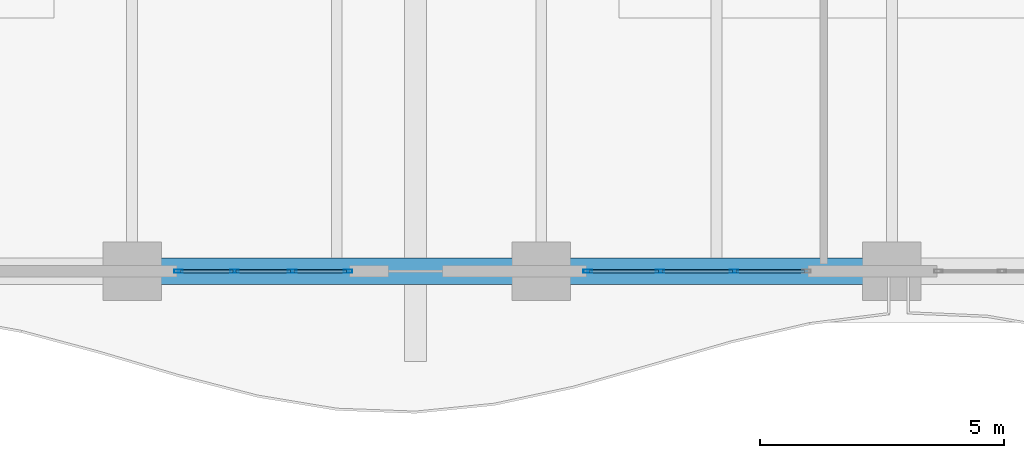
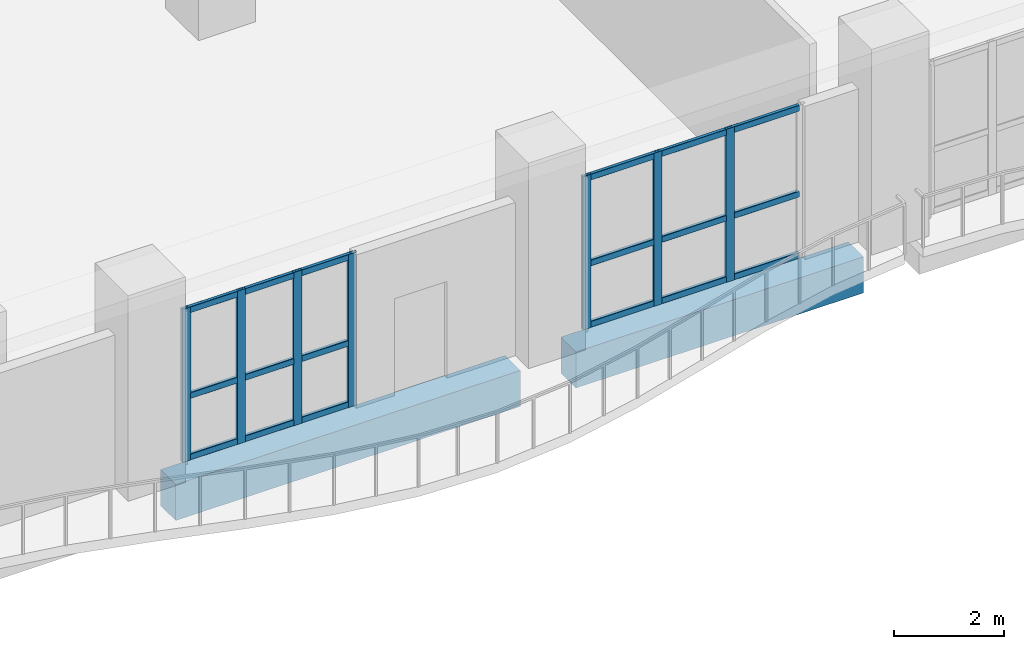
# One storey, part 12 of 37: 25 members, 2 beams, 2 elements without a shape of their own.
"""IFC4 building model written with IfcOpenShell, lengths in metres."""

from ifc_helpers import new_model, si_unit, direction, frame, origin, origin_2d, place, context, subcontext, project, spatial, rectangle, hollow_rectangle, extrude, material, layer, layer_set, material_profile, profile_set, type_object, element, aggregate, save


model = new_model("IFC4")

# Units and contexts
model_context = context("Model", 3, precision=1e-05, world=origin(), true_north=direction((0.0, 1.0)))
body_context = subcontext(model_context, "Body", "Model", "MODEL_VIEW")
ifc_project = project(units=[si_unit("LENGTHUNIT", "METRE"), si_unit("AREAUNIT", "SQUARE_METRE"), si_unit("VOLUMEUNIT", "CUBIC_METRE"), si_unit("PLANEANGLEUNIT", "RADIAN"), si_unit("MASSUNIT", "GRAM", prefix="KILO")], contexts=[model_context])

# Site, building, storey
site_placement = place(None, origin())
site = spatial("IfcSite", under=ifc_project, at=site_placement, CompositionType="ELEMENT")
building_placement = place(site_placement, origin())
building = spatial("IfcBuilding", under=site, at=building_placement, Name="Kaelvorn Grand Hotel", CompositionType="ELEMENT")
storey_placement = place(building_placement, frame((0.0, 0.0, 224.35009765625)))
storey = spatial("IfcBuildingStorey", under=building, at=storey_placement, Name="L55", CompositionType="ELEMENT", Elevation=224.35009765625)

# Beams
ifc_material_1 = material(Name="Concrete C50/60", Category="concrete")
ifc_material_profile_1 = material_profile(ifc_material_1, rectangle(XDim=0.550048828125, YDim=0.800048828125, at=origin_2d()), Name="RC SPANDREL 550x800")
ifc_profile_set_1 = profile_set([ifc_material_profile_1], Name="Concrete C50/60")
beam_type = type_object("IfcBeamType", Name="BM-SP-550x800-C50", PredefinedType="SPANDREL", material=ifc_profile_set_1)
beam_1_placement = place(storey_placement, frame((38.385009765625, 3.0, -0.64013671875), z_axis=(1.0, 0.0, 0.0), x_axis=(0.0, 1.0, 0.0)))
element("IfcBeam", 1, at=beam_1_placement, inside=storey, type_object=beam_type, Name="L55 South Perimeter Spandrel 06", PredefinedType="SPANDREL", context=body_context, shape_type="SweptSolid", body=[
    extrude(rectangle(XDim=0.550048828125, YDim=0.800048828125, at=origin_2d()), origin(), (0.0, 0.0, 1.0), 7.22998046875),
])
beam_2_placement = place(storey_placement, frame((46.784912109375, 3.0, -0.64013671875), z_axis=(1.0, 0.0, 0.0), x_axis=(0.0, 1.0, 0.0)))
element("IfcBeam", 2, at=beam_2_placement, inside=storey, type_object=beam_type, Name="L55 South Perimeter Spandrel 07", PredefinedType="SPANDREL", context=body_context, shape_type="SweptSolid", body=[
    extrude(rectangle(XDim=0.550048828125, YDim=0.800048828125, at=origin_2d()), origin(), (0.0, 0.0, 1.0), 6.030029296875),
])

# Curtain wall, members
ifc_material_2 = material(Name="Anodised Aluminium", Category="aluminium")
ifc_layer = layer(ifc_material_2, 0.179931640625)
ifc_layer_set = layer_set([ifc_layer], Name="Anodised Aluminium")
curtain_wall_type = type_object("IfcCurtainWallType", Name="CW-SYS4", PredefinedType="NOTDEFINED", material=ifc_layer_set)
curtain_wall_1_placement = place(storey_placement, origin())
curtain_wall_1 = element("IfcCurtainWall", 3, at=curtain_wall_1_placement, inside=storey, type_object=curtain_wall_type, Name="L55 Unitised Curtain Wall CW4 (CW-L55-SB2-04)", PredefinedType="NOTDEFINED")
ifc_material_profile_2 = material_profile(ifc_material_2, hollow_rectangle(XDim=0.070068359375, YDim=0.179931640625, WallThickness=0.00390625, InnerFilletRadius=0.00390625, OuterFilletRadius=0.008056640625, at=origin_2d()), Name="ALU MULL 70x180")
ifc_profile_set_2 = profile_set([ifc_material_profile_2], Name="Anodised Aluminium")
member_type_1 = type_object("IfcMemberType", Name="CW-SYS4-MULL", PredefinedType="MULLION", material=ifc_profile_set_2)
member_1_placement = place(storey_placement, frame((38.7548828125, 3.0, 0.0), z_axis=(0.0, 0.0, 1.0), x_axis=(0.0, 1.0, 0.0)))
member_1 = element("IfcMember", 4, at=member_1_placement, type_object=member_type_1, Name="CW4 mullion 1", PredefinedType="MULLION", context=body_context, shape_type="SweptSolid", body=[
    extrude(hollow_rectangle(XDim=0.070068359375, YDim=0.179931640625, WallThickness=0.00390625, InnerFilletRadius=0.00390625, OuterFilletRadius=0.008056640625, at=origin_2d()), origin(), (0.0, 0.0, 1.0), 3.39990234375),
])
member_2_placement = place(storey_placement, frame((39.903076171875, 3.0, 0.0), z_axis=(0.0, 0.0, 1.0), x_axis=(0.0, 1.0, 0.0)))
member_2 = element("IfcMember", 5, at=member_2_placement, type_object=member_type_1, Name="CW4 mullion 2", PredefinedType="MULLION", context=body_context, shape_type="SweptSolid", body=[
    extrude(hollow_rectangle(XDim=0.070068359375, YDim=0.179931640625, WallThickness=0.00390625, InnerFilletRadius=0.00390625, OuterFilletRadius=0.008056640625, at=origin_2d()), origin(), (0.0, 0.0, 1.0), 3.39990234375),
])
member_3_placement = place(storey_placement, frame((41.0859375, 3.0, 0.0), z_axis=(0.0, 0.0, 1.0), x_axis=(0.0, 1.0, 0.0)))
member_3 = element("IfcMember", 6, at=member_3_placement, type_object=member_type_1, Name="CW4 mullion 3", PredefinedType="MULLION", context=body_context, shape_type="SweptSolid", body=[
    extrude(hollow_rectangle(XDim=0.070068359375, YDim=0.179931640625, WallThickness=0.00390625, InnerFilletRadius=0.00390625, OuterFilletRadius=0.008056640625, at=origin_2d()), origin(), (0.0, 0.0, 1.0), 3.39990234375),
])
member_4_placement = place(storey_placement, frame((42.23388671875, 3.0, 0.0), z_axis=(0.0, 0.0, 1.0), x_axis=(0.0, 1.0, 0.0)))
member_4 = element("IfcMember", 7, at=member_4_placement, type_object=member_type_1, Name="CW4 mullion 4", PredefinedType="MULLION", context=body_context, shape_type="SweptSolid", body=[
    extrude(hollow_rectangle(XDim=0.070068359375, YDim=0.179931640625, WallThickness=0.00390625, InnerFilletRadius=0.00390625, OuterFilletRadius=0.008056640625, at=origin_2d()), origin(), (0.0, 0.0, 1.0), 3.39990234375),
])

curtain_wall_2_placement = place(storey_placement, origin())
curtain_wall_2 = element("IfcCurtainWall", 8, at=curtain_wall_2_placement, inside=storey, type_object=curtain_wall_type, Name="L55 Unitised Curtain Wall CW4 (CW-L55-SB3-01)", PredefinedType="NOTDEFINED")
member_5_placement = place(storey_placement, frame((47.155029296875, 3.0, 0.0), z_axis=(0.0, 0.0, 1.0), x_axis=(0.0, 1.0, 0.0)))
member_5 = element("IfcMember", 9, at=member_5_placement, type_object=member_type_1, Name="CW4 mullion 1", PredefinedType="MULLION", context=body_context, shape_type="SweptSolid", body=[
    extrude(hollow_rectangle(XDim=0.070068359375, YDim=0.179931640625, WallThickness=0.00390625, InnerFilletRadius=0.00390625, OuterFilletRadius=0.008056640625, at=origin_2d()), origin(), (0.0, 0.0, 1.0), 3.39990234375),
])
member_6_placement = place(storey_placement, frame((48.639892578125, 3.0, 0.0), z_axis=(0.0, 0.0, 1.0), x_axis=(0.0, 1.0, 0.0)))
member_6 = element("IfcMember", 10, at=member_6_placement, type_object=member_type_1, Name="CW4 mullion 2", PredefinedType="MULLION", context=body_context, shape_type="SweptSolid", body=[
    extrude(hollow_rectangle(XDim=0.070068359375, YDim=0.179931640625, WallThickness=0.00390625, InnerFilletRadius=0.00390625, OuterFilletRadius=0.008056640625, at=origin_2d()), origin(), (0.0, 0.0, 1.0), 3.39990234375),
])
member_7_placement = place(storey_placement, frame((50.159912109375, 3.0, 0.0), z_axis=(0.0, 0.0, 1.0), x_axis=(0.0, 1.0, 0.0)))
member_7 = element("IfcMember", 11, at=member_7_placement, type_object=member_type_1, Name="CW4 mullion 3", PredefinedType="MULLION", context=body_context, shape_type="SweptSolid", body=[
    extrude(hollow_rectangle(XDim=0.070068359375, YDim=0.179931640625, WallThickness=0.00390625, InnerFilletRadius=0.00390625, OuterFilletRadius=0.008056640625, at=origin_2d()), origin(), (0.0, 0.0, 1.0), 3.39990234375),
])

# Member
ifc_material_profile_3 = material_profile(ifc_material_2, hollow_rectangle(XDim=0.070068359375, YDim=0.135009765625, WallThickness=0.00341796875, InnerFilletRadius=0.00341796875, OuterFilletRadius=0.007080078125, at=origin_2d()), Name="ALU TRAN 70x135")
ifc_profile_set_3 = profile_set([ifc_material_profile_3], Name="Anodised Aluminium")
member_type_2 = type_object("IfcMemberType", Name="CW-SYS4-TRAN", PredefinedType="NOTDEFINED", material=ifc_profile_set_3)
member_8_placement = place(storey_placement, frame((38.7900390625, 3.0, 0.0673828125), z_axis=(1.0, 0.0, 0.0), x_axis=(0.0, 1.0, 0.0)))
member_8 = element("IfcMember", 12, at=member_8_placement, type_object=member_type_2, Name="CW4 transom 1.1", ObjectType="TRANSOM", PredefinedType="USERDEFINED", context=body_context, shape_type="SweptSolid", body=[
    extrude(hollow_rectangle(XDim=0.070068359375, YDim=0.135009765625, WallThickness=0.00341796875, InnerFilletRadius=0.00341796875, OuterFilletRadius=0.007080078125, at=origin_2d()), origin(), (0.0, 0.0, 1.0), 1.077880859375),
])

member_9_placement = place(storey_placement, frame((38.7900390625, 3.0, 1.427978515625), z_axis=(1.0, 0.0, 0.0), x_axis=(0.0, 1.0, 0.0)))
member_9 = element("IfcMember", 13, at=member_9_placement, type_object=member_type_2, Name="CW4 transom 1.2", ObjectType="TRANSOM", PredefinedType="USERDEFINED", context=body_context, shape_type="SweptSolid", body=[
    extrude(hollow_rectangle(XDim=0.070068359375, YDim=0.135009765625, WallThickness=0.00341796875, InnerFilletRadius=0.00341796875, OuterFilletRadius=0.007080078125, at=origin_2d()), origin(), (0.0, 0.0, 1.0), 1.077880859375),
])

member_10_placement = place(storey_placement, frame((38.7900390625, 3.0, 3.33251953125), z_axis=(1.0, 0.0, 0.0), x_axis=(0.0, 1.0, 0.0)))
member_10 = element("IfcMember", 14, at=member_10_placement, type_object=member_type_2, Name="CW4 transom 1.3", ObjectType="TRANSOM", PredefinedType="USERDEFINED", context=body_context, shape_type="SweptSolid", body=[
    extrude(hollow_rectangle(XDim=0.070068359375, YDim=0.135009765625, WallThickness=0.00341796875, InnerFilletRadius=0.00341796875, OuterFilletRadius=0.007080078125, at=origin_2d()), origin(), (0.0, 0.0, 1.0), 1.077880859375),
])

member_11_placement = place(storey_placement, frame((39.93798828125, 3.0, 0.0673828125), z_axis=(1.0, 0.0, 0.0), x_axis=(0.0, 1.0, 0.0)))
member_11 = element("IfcMember", 15, at=member_11_placement, type_object=member_type_2, Name="CW4 transom 2.1", ObjectType="TRANSOM", PredefinedType="USERDEFINED", context=body_context, shape_type="SweptSolid", body=[
    extrude(hollow_rectangle(XDim=0.070068359375, YDim=0.135009765625, WallThickness=0.00341796875, InnerFilletRadius=0.00341796875, OuterFilletRadius=0.007080078125, at=origin_2d()), origin(), (0.0, 0.0, 1.0), 1.113037109375),
])

member_12_placement = place(storey_placement, frame((39.93798828125, 3.0, 1.427978515625), z_axis=(1.0, 0.0, 0.0), x_axis=(0.0, 1.0, 0.0)))
member_12 = element("IfcMember", 16, at=member_12_placement, type_object=member_type_2, Name="CW4 transom 2.2", ObjectType="TRANSOM", PredefinedType="USERDEFINED", context=body_context, shape_type="SweptSolid", body=[
    extrude(hollow_rectangle(XDim=0.070068359375, YDim=0.135009765625, WallThickness=0.00341796875, InnerFilletRadius=0.00341796875, OuterFilletRadius=0.007080078125, at=origin_2d()), origin(), (0.0, 0.0, 1.0), 1.113037109375),
])

member_13_placement = place(storey_placement, frame((39.93798828125, 3.0, 3.33251953125), z_axis=(1.0, 0.0, 0.0), x_axis=(0.0, 1.0, 0.0)))
member_13 = element("IfcMember", 17, at=member_13_placement, type_object=member_type_2, Name="CW4 transom 2.3", ObjectType="TRANSOM", PredefinedType="USERDEFINED", context=body_context, shape_type="SweptSolid", body=[
    extrude(hollow_rectangle(XDim=0.070068359375, YDim=0.135009765625, WallThickness=0.00341796875, InnerFilletRadius=0.00341796875, OuterFilletRadius=0.007080078125, at=origin_2d()), origin(), (0.0, 0.0, 1.0), 1.113037109375),
])

member_14_placement = place(storey_placement, frame((41.12109375, 3.0, 0.0673828125), z_axis=(1.0, 0.0, 0.0), x_axis=(0.0, 1.0, 0.0)))
member_14 = element("IfcMember", 18, at=member_14_placement, type_object=member_type_2, Name="CW4 transom 3.1", ObjectType="TRANSOM", PredefinedType="USERDEFINED", context=body_context, shape_type="SweptSolid", body=[
    extrude(hollow_rectangle(XDim=0.070068359375, YDim=0.135009765625, WallThickness=0.00341796875, InnerFilletRadius=0.00341796875, OuterFilletRadius=0.007080078125, at=origin_2d()), origin(), (0.0, 0.0, 1.0), 1.077880859375),
])

member_15_placement = place(storey_placement, frame((41.12109375, 3.0, 1.427978515625), z_axis=(1.0, 0.0, 0.0), x_axis=(0.0, 1.0, 0.0)))
member_15 = element("IfcMember", 19, at=member_15_placement, type_object=member_type_2, Name="CW4 transom 3.2", ObjectType="TRANSOM", PredefinedType="USERDEFINED", context=body_context, shape_type="SweptSolid", body=[
    extrude(hollow_rectangle(XDim=0.070068359375, YDim=0.135009765625, WallThickness=0.00341796875, InnerFilletRadius=0.00341796875, OuterFilletRadius=0.007080078125, at=origin_2d()), origin(), (0.0, 0.0, 1.0), 1.077880859375),
])

member_16_placement = place(storey_placement, frame((41.12109375, 3.0, 3.33251953125), z_axis=(1.0, 0.0, 0.0), x_axis=(0.0, 1.0, 0.0)))
member_16 = element("IfcMember", 20, at=member_16_placement, type_object=member_type_2, Name="CW4 transom 3.3", ObjectType="TRANSOM", PredefinedType="USERDEFINED", context=body_context, shape_type="SweptSolid", body=[
    extrude(hollow_rectangle(XDim=0.070068359375, YDim=0.135009765625, WallThickness=0.00341796875, InnerFilletRadius=0.00341796875, OuterFilletRadius=0.007080078125, at=origin_2d()), origin(), (0.0, 0.0, 1.0), 1.077880859375),
])

aggregate(curtain_wall_1, [member_1, member_2, member_3, member_4, member_8, member_9, member_10, member_11, member_12, member_13, member_14, member_15, member_16])

member_17_placement = place(storey_placement, frame((47.18994140625, 3.0, 0.0673828125), z_axis=(1.0, 0.0, 0.0), x_axis=(0.0, 1.0, 0.0)))
member_17 = element("IfcMember", 21, at=member_17_placement, type_object=member_type_2, Name="CW4 transom 1.1", ObjectType="TRANSOM", PredefinedType="USERDEFINED", context=body_context, shape_type="SweptSolid", body=[
    extrude(hollow_rectangle(XDim=0.070068359375, YDim=0.135009765625, WallThickness=0.00341796875, InnerFilletRadius=0.00341796875, OuterFilletRadius=0.007080078125, at=origin_2d()), origin(), (0.0, 0.0, 1.0), 1.4150390625),
])

member_18_placement = place(storey_placement, frame((47.18994140625, 3.0, 1.427978515625), z_axis=(1.0, 0.0, 0.0), x_axis=(0.0, 1.0, 0.0)))
member_18 = element("IfcMember", 22, at=member_18_placement, type_object=member_type_2, Name="CW4 transom 1.2", ObjectType="TRANSOM", PredefinedType="USERDEFINED", context=body_context, shape_type="SweptSolid", body=[
    extrude(hollow_rectangle(XDim=0.070068359375, YDim=0.135009765625, WallThickness=0.00341796875, InnerFilletRadius=0.00341796875, OuterFilletRadius=0.007080078125, at=origin_2d()), origin(), (0.0, 0.0, 1.0), 1.4150390625),
])

member_19_placement = place(storey_placement, frame((47.18994140625, 3.0, 3.33251953125), z_axis=(1.0, 0.0, 0.0), x_axis=(0.0, 1.0, 0.0)))
member_19 = element("IfcMember", 23, at=member_19_placement, type_object=member_type_2, Name="CW4 transom 1.3", ObjectType="TRANSOM", PredefinedType="USERDEFINED", context=body_context, shape_type="SweptSolid", body=[
    extrude(hollow_rectangle(XDim=0.070068359375, YDim=0.135009765625, WallThickness=0.00341796875, InnerFilletRadius=0.00341796875, OuterFilletRadius=0.007080078125, at=origin_2d()), origin(), (0.0, 0.0, 1.0), 1.4150390625),
])

member_20_placement = place(storey_placement, frame((48.675048828125, 3.0, 0.0673828125), z_axis=(1.0, 0.0, 0.0), x_axis=(0.0, 1.0, 0.0)))
member_20 = element("IfcMember", 24, at=member_20_placement, type_object=member_type_2, Name="CW4 transom 2.1", ObjectType="TRANSOM", PredefinedType="USERDEFINED", context=body_context, shape_type="SweptSolid", body=[
    extrude(hollow_rectangle(XDim=0.070068359375, YDim=0.135009765625, WallThickness=0.00341796875, InnerFilletRadius=0.00341796875, OuterFilletRadius=0.007080078125, at=origin_2d()), origin(), (0.0, 0.0, 1.0), 1.449951171875),
])

member_21_placement = place(storey_placement, frame((48.675048828125, 3.0, 1.427978515625), z_axis=(1.0, 0.0, 0.0), x_axis=(0.0, 1.0, 0.0)))
member_21 = element("IfcMember", 25, at=member_21_placement, type_object=member_type_2, Name="CW4 transom 2.2", ObjectType="TRANSOM", PredefinedType="USERDEFINED", context=body_context, shape_type="SweptSolid", body=[
    extrude(hollow_rectangle(XDim=0.070068359375, YDim=0.135009765625, WallThickness=0.00341796875, InnerFilletRadius=0.00341796875, OuterFilletRadius=0.007080078125, at=origin_2d()), origin(), (0.0, 0.0, 1.0), 1.449951171875),
])

member_22_placement = place(storey_placement, frame((48.675048828125, 3.0, 3.33251953125), z_axis=(1.0, 0.0, 0.0), x_axis=(0.0, 1.0, 0.0)))
member_22 = element("IfcMember", 26, at=member_22_placement, type_object=member_type_2, Name="CW4 transom 2.3", ObjectType="TRANSOM", PredefinedType="USERDEFINED", context=body_context, shape_type="SweptSolid", body=[
    extrude(hollow_rectangle(XDim=0.070068359375, YDim=0.135009765625, WallThickness=0.00341796875, InnerFilletRadius=0.00341796875, OuterFilletRadius=0.007080078125, at=origin_2d()), origin(), (0.0, 0.0, 1.0), 1.449951171875),
])

member_23_placement = place(storey_placement, frame((50.195068359375, 3.0, 0.0673828125), z_axis=(1.0, 0.0, 0.0), x_axis=(0.0, 1.0, 0.0)))
member_23 = element("IfcMember", 27, at=member_23_placement, type_object=member_type_2, Name="CW4 transom 3.1", ObjectType="TRANSOM", PredefinedType="USERDEFINED", context=body_context, shape_type="SweptSolid", body=[
    extrude(hollow_rectangle(XDim=0.070068359375, YDim=0.135009765625, WallThickness=0.00341796875, InnerFilletRadius=0.00341796875, OuterFilletRadius=0.007080078125, at=origin_2d()), origin(), (0.0, 0.0, 1.0), 1.4150390625),
])

member_24_placement = place(storey_placement, frame((50.195068359375, 3.0, 1.427978515625), z_axis=(1.0, 0.0, 0.0), x_axis=(0.0, 1.0, 0.0)))
member_24 = element("IfcMember", 28, at=member_24_placement, type_object=member_type_2, Name="CW4 transom 3.2", ObjectType="TRANSOM", PredefinedType="USERDEFINED", context=body_context, shape_type="SweptSolid", body=[
    extrude(hollow_rectangle(XDim=0.070068359375, YDim=0.135009765625, WallThickness=0.00341796875, InnerFilletRadius=0.00341796875, OuterFilletRadius=0.007080078125, at=origin_2d()), origin(), (0.0, 0.0, 1.0), 1.4150390625),
])

member_25_placement = place(storey_placement, frame((50.195068359375, 3.0, 3.33251953125), z_axis=(1.0, 0.0, 0.0), x_axis=(0.0, 1.0, 0.0)))
member_25 = element("IfcMember", 29, at=member_25_placement, type_object=member_type_2, Name="CW4 transom 3.3", ObjectType="TRANSOM", PredefinedType="USERDEFINED", context=body_context, shape_type="SweptSolid", body=[
    extrude(hollow_rectangle(XDim=0.070068359375, YDim=0.135009765625, WallThickness=0.00341796875, InnerFilletRadius=0.00341796875, OuterFilletRadius=0.007080078125, at=origin_2d()), origin(), (0.0, 0.0, 1.0), 1.4150390625),
])

aggregate(curtain_wall_2, [member_5, member_6, member_7, member_17, member_18, member_19, member_20, member_21, member_22, member_23, member_24, member_25])

save(model, "model.ifc")
